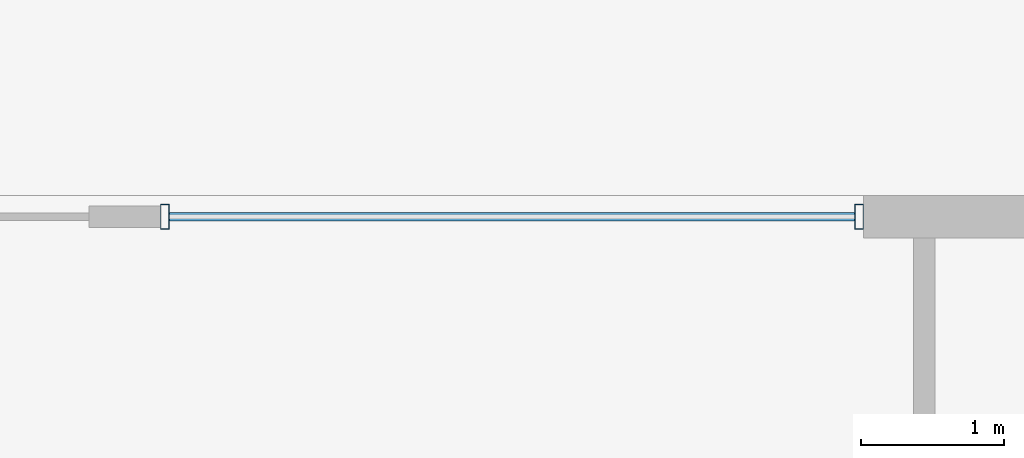
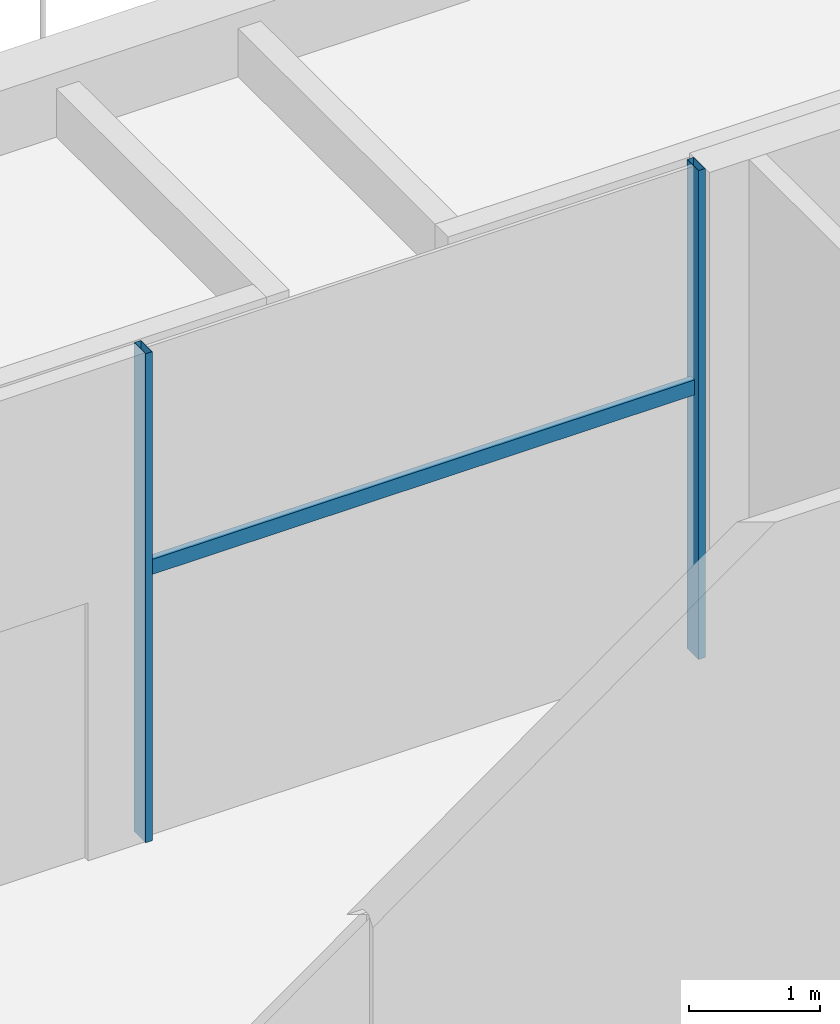
# One storey, part 24 of 49: 3 members, 1 element without a shape of its own.
"""IFC4 building model written with IfcOpenShell, lengths in metres."""

from ifc_helpers import new_model, si_unit, direction, frame, origin, origin_2d, place, context, subcontext, project, spatial, hollow_rectangle, extrude, material, material_profile, profile_set, type_object, element, aggregate, save


model = new_model("IFC4")

# Units and contexts
model_context = context("Model", 3, precision=1e-05, world=origin(), true_north=direction((0.0, 1.0)))
body_context = subcontext(model_context, "Body", "Model", "MODEL_VIEW")
ifc_project = project(units=[si_unit("LENGTHUNIT", "METRE"), si_unit("AREAUNIT", "SQUARE_METRE"), si_unit("VOLUMEUNIT", "CUBIC_METRE"), si_unit("PLANEANGLEUNIT", "RADIAN"), si_unit("MASSUNIT", "GRAM", prefix="KILO")], contexts=[model_context])

# Site, building, storey
site_placement = place(None, origin())
site = spatial("IfcSite", under=ifc_project, at=site_placement, CompositionType="ELEMENT")
building_placement = place(site_placement, origin())
building = spatial("IfcBuilding", under=site, at=building_placement, Name="Altepetl Exchange Towers", CompositionType="ELEMENT")
storey_placement = place(building_placement, frame((0.0, 0.0, 11.5)))
storey = spatial("IfcBuildingStorey", under=building, at=storey_placement, Name="L02 Exchange podium", CompositionType="ELEMENT", Elevation=11.5)

# Curtain wall, members
ifc_material_1 = material(Name="Aluminium 6063-T6 glazing", Category="aluminium")
curtain_wall_type = type_object("IfcCurtainWallType", Name="Podium storefront system", PredefinedType="NOTDEFINED", material=ifc_material_1)
curtain_wall_placement = place(storey_placement, origin())
curtain_wall = element("IfcCurtainWall", 1, at=curtain_wall_placement, inside=storey, type_object=curtain_wall_type, Name="CW5 run", PredefinedType="NOTDEFINED")
ifc_material_2 = material(Name="Aluminium 6063-T6", Category="aluminium")
ifc_material_profile_1 = material_profile(ifc_material_2, hollow_rectangle(XDim=0.06005859375, YDim=0.175048828125, WallThickness=0.0029296875, at=origin_2d()), Name="Mullion 60x175 aluminium")
ifc_profile_set_1 = profile_set([ifc_material_profile_1], Name="Aluminium 6063-T6")
member_type_1 = type_object("IfcMemberType", Name="Mullion 60x175 aluminium", PredefinedType="MULLION", material=ifc_profile_set_1)
member_1_placement = place(storey_placement, frame((130.044921875, 80.85009765625, 0.0), z_axis=(0.0, 0.0, 1.0), x_axis=(-1.0, 0.0, 0.0)))
member_1 = element("IfcMember", 2, at=member_1_placement, type_object=member_type_1, Name="MU4 mullion", PredefinedType="MULLION", context=body_context, shape_type="SweptSolid", body=[
    extrude(hollow_rectangle(XDim=0.06005859375, YDim=0.175048828125, WallThickness=0.0029296875, at=origin_2d()), origin(), (0.0, 0.0, 1.0), 4.550048828125),
])
member_2_placement = place(storey_placement, frame((125.179931640625, 80.85009765625, 0.0), z_axis=(0.0, 0.0, 1.0), x_axis=(-1.0, 0.0, 0.0)))
member_2 = element("IfcMember", 3, at=member_2_placement, type_object=member_type_1, Name="MU4 mullion", PredefinedType="MULLION", context=body_context, shape_type="SweptSolid", body=[
    extrude(hollow_rectangle(XDim=0.06005859375, YDim=0.175048828125, WallThickness=0.0029296875, at=origin_2d()), origin(), (0.0, 0.0, 1.0), 4.550048828125),
])
ifc_material_profile_2 = material_profile(ifc_material_2, hollow_rectangle(XDim=0.06005859375, YDim=0.139892578125, WallThickness=0.0029296875, at=origin_2d()), Name="Transom 60x140 aluminium")
ifc_profile_set_2 = profile_set([ifc_material_profile_2], Name="Aluminium 6063-T6")
member_type_2 = type_object("IfcMemberType", Name="Transom 60x140 aluminium", PredefinedType="USERDEFINED", material=ifc_profile_set_2)
member_3_placement = place(storey_placement, frame((130.014892578125, 80.85009765625, 2.5), z_axis=(-1.0, 0.0, 0.0), x_axis=(0.0, -1.0, 0.0)))
member_3 = element("IfcMember", 4, at=member_3_placement, type_object=member_type_2, Name="TR3 transom", ObjectType="TRANSOM", PredefinedType="USERDEFINED", context=body_context, shape_type="SweptSolid", body=[
    extrude(hollow_rectangle(XDim=0.06005859375, YDim=0.139892578125, WallThickness=0.0029296875, at=origin_2d()), origin(), (0.0, 0.0, 1.0), 4.804931640625),
])
aggregate(curtain_wall, [member_1, member_2, member_3])

save(model, "model.ifc")
